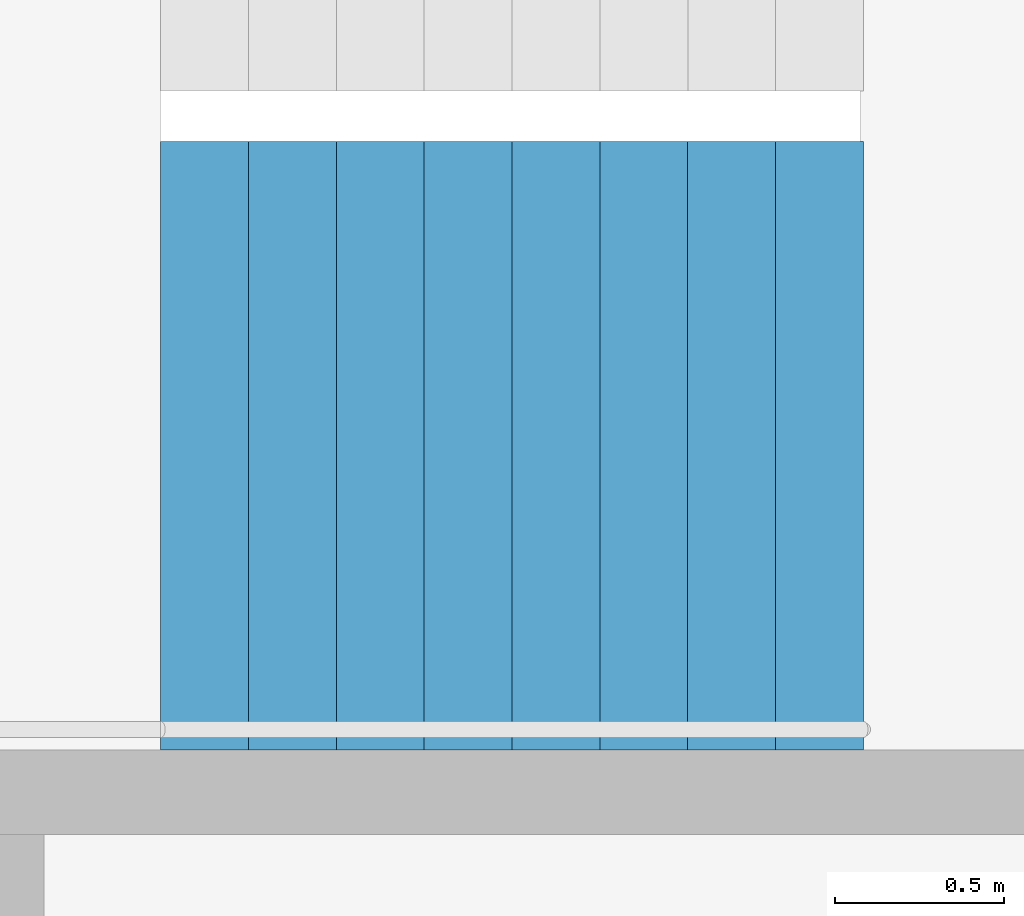
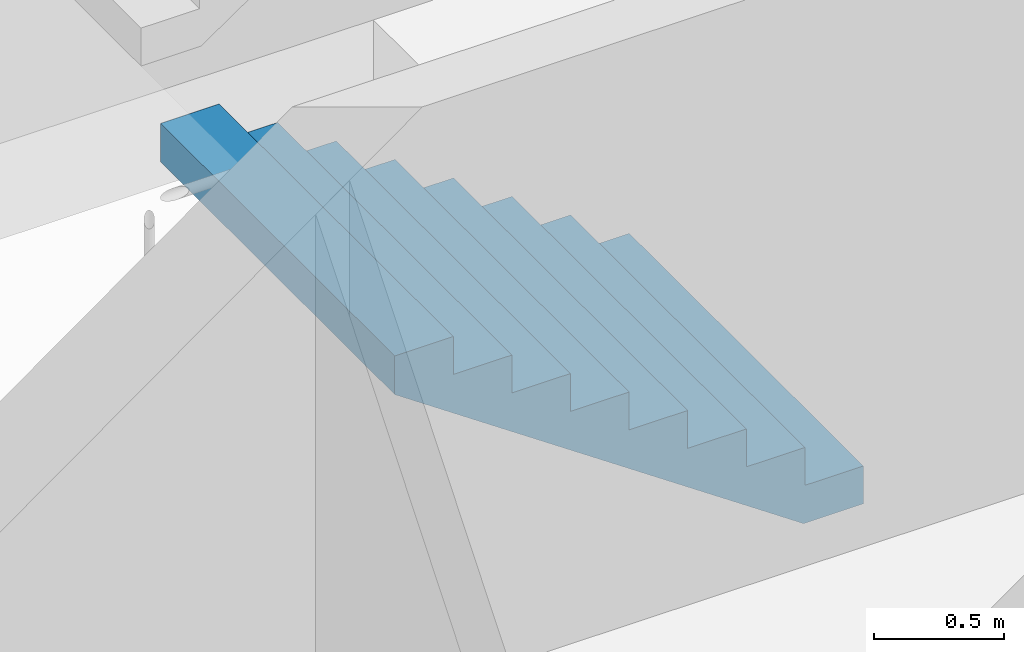
# One storey, part 24 of 26: 1 stair flight, 1 element without a shape of its own.
"""IFC4 building model written with IfcOpenShell, lengths in metres."""

from ifc_helpers import new_model, si_unit, direction, frame, origin, place, context, subcontext, project, spatial, triangles, material, type_object, element, aggregate, save


model = new_model("IFC4")

# Units and contexts
model_context = context("Model", 3, precision=1e-05, world=origin(), true_north=direction((0.0, 1.0)))
body_context = subcontext(model_context, "Body", "Model", "MODEL_VIEW")
ifc_project = project(units=[si_unit("LENGTHUNIT", "METRE"), si_unit("AREAUNIT", "SQUARE_METRE"), si_unit("VOLUMEUNIT", "CUBIC_METRE"), si_unit("PLANEANGLEUNIT", "RADIAN"), si_unit("MASSUNIT", "GRAM", prefix="KILO")], contexts=[model_context])

# Site, building, storey
site_placement = place(None, origin())
site = spatial("IfcSite", under=ifc_project, at=site_placement, CompositionType="ELEMENT")
building_placement = place(site_placement, origin())
building = spatial("IfcBuilding", under=site, at=building_placement, Name="Hakoniwa Tower and Hamabe Station Hall", CompositionType="ELEMENT")
storey_placement = place(building_placement, frame((0.0, 0.0, 143.800048828125)))
storey = spatial("IfcBuildingStorey", under=building, at=storey_placement, Name="L40", CompositionType="ELEMENT", Elevation=143.800048828125)

# Stair, stair flight
ifc_material_1 = material(Name="Concrete C40", Category="concrete")
stair_type = type_object("IfcStairType", Name="ESCAPE STAIR 1800", PredefinedType="HALF_TURN_STAIR", material=ifc_material_1)
stair_placement = place(storey_placement, origin())
stair = element("IfcStair", 1, at=stair_placement, inside=storey, type_object=stair_type, Name="Escape stair ST-3 L40", PredefinedType="HALF_TURN_STAIR")
ifc_material_2 = material(Name="Concrete C40", Category="concrete")
stair_flight_type = type_object("IfcStairFlightType", Name="STAIR FLIGHT 1800", PredefinedType="STRAIGHT", material=ifc_material_2)
stair_flight_placement = place(storey_placement, frame((24.39990234375, 4.64990234375, 0.0), z_axis=(0.0, 0.0, 1.0), x_axis=(-1.0, 0.0, 0.0)))
stair_flight = element("IfcStairFlight", 2, at=stair_flight_placement, type_object=stair_flight_type, Name="ST-3 flight 1", NumberOfRisers=9, NumberOfTreads=8, PredefinedType="STRAIGHT", RiserHeight=0.177777778, TreadLength=0.26, context=body_context, shape_type="Tessellation", body=[
    triangles([(0.0, 0.89990234375, 0.0), (0.260009765625, 0.89990234375, 0.0), (0.265625, 0.89990234375, 0.0), (0.52001953125, 0.89990234375, 0.174072265625), (0.780029296875, 0.89990234375, 0.351806640625), (1.0400390625, 0.89990234375, 0.529541015625), (1.300048828125, 0.89990234375, 0.707275390625), (1.56005859375, 0.89990234375, 0.885009765625), (1.820068359375, 0.89990234375, 1.062744140625), (2.080078125, 0.89990234375, 1.24072265625), (2.080078125, 0.89990234375, 1.422119140625), (1.820068359375, 0.89990234375, 1.422119140625), (1.820068359375, 0.89990234375, 1.244384765625), (1.56005859375, 0.89990234375, 1.244384765625), (1.56005859375, 0.89990234375, 1.066650390625), (1.300048828125, 0.89990234375, 1.066650390625), (1.300048828125, 0.89990234375, 0.888916015625), (1.0400390625, 0.89990234375, 0.888916015625), (1.0400390625, 0.89990234375, 0.711181640625), (0.780029296875, 0.89990234375, 0.711181640625), (0.780029296875, 0.89990234375, 0.533447265625), (0.52001953125, 0.89990234375, 0.533447265625), (0.52001953125, 0.89990234375, 0.35546875), (0.265625, 0.89990234375, 0.35546875), (0.260009765625, 0.89990234375, 0.35546875), (0.260009765625, 0.89990234375, 0.177734375), (0.0, 0.89990234375, 0.177734375), (0.0, 0.06005859375, 0.0), (0.260009765625, 0.06005859375, 0.0), (0.265625, 0.06005859375, 0.0), (0.52001953125, 0.06005859375, 0.174072265625), (0.780029296875, 0.06005859375, 0.351806640625), (1.0400390625, 0.06005859375, 0.529541015625), (1.300048828125, 0.06005859375, 0.707275390625), (1.56005859375, 0.06005859375, 0.885009765625), (1.820068359375, 0.06005859375, 1.062744140625), (2.080078125, 0.06005859375, 1.24072265625), (2.080078125, 0.06005859375, 1.422119140625), (1.820068359375, 0.06005859375, 1.422119140625), (1.820068359375, 0.06005859375, 1.244384765625), (1.56005859375, 0.06005859375, 1.244384765625), (1.56005859375, 0.06005859375, 1.066650390625), (1.300048828125, 0.06005859375, 1.066650390625), (1.300048828125, 0.06005859375, 0.888916015625), (1.0400390625, 0.06005859375, 0.888916015625), (1.0400390625, 0.06005859375, 0.711181640625), (0.780029296875, 0.06005859375, 0.711181640625), (0.780029296875, 0.06005859375, 0.533447265625), (0.52001953125, 0.06005859375, 0.533447265625), (0.52001953125, 0.06005859375, 0.35546875), (0.265625, 0.06005859375, 0.35546875), (0.260009765625, 0.06005859375, 0.35546875), (0.260009765625, 0.06005859375, 0.177734375), (0.0, 0.06005859375, 0.177734375), (0.0, 0.04296875, 0.0), (0.260009765625, 0.04296875, 0.0), (0.265625, 0.04296875, 0.0), (0.52001953125, 0.04296875, 0.174072265625), (0.780029296875, 0.04296875, 0.351806640625), (1.0400390625, 0.04296875, 0.529541015625), (1.300048828125, 0.04296875, 0.707275390625), (1.56005859375, 0.04296875, 0.885009765625), (1.820068359375, 0.04296875, 1.062744140625), (2.080078125, 0.04296875, 1.24072265625), (2.080078125, 0.04296875, 1.422119140625), (1.820068359375, 0.04296875, 1.422119140625), (1.820068359375, 0.04296875, 1.244384765625), (1.56005859375, 0.04296875, 1.244384765625), (1.56005859375, 0.04296875, 1.066650390625), (1.300048828125, 0.04296875, 1.066650390625), (1.300048828125, 0.04296875, 0.888916015625), (1.0400390625, 0.04296875, 0.888916015625), (1.0400390625, 0.04296875, 0.711181640625), (0.780029296875, 0.04296875, 0.711181640625), (0.780029296875, 0.04296875, 0.533447265625), (0.52001953125, 0.04296875, 0.533447265625), (0.52001953125, 0.04296875, 0.35546875), (0.265625, 0.04296875, 0.35546875), (0.260009765625, 0.04296875, 0.35546875), (0.260009765625, 0.04296875, 0.177734375), (0.0, 0.04296875, 0.177734375), (0.0, 0.025634765625, 0.0), (0.260009765625, 0.025634765625, 0.0), (0.265625, 0.025634765625, 0.0), (0.52001953125, 0.025634765625, 0.174072265625), (0.780029296875, 0.025634765625, 0.351806640625), (1.0400390625, 0.025634765625, 0.529541015625), (1.300048828125, 0.025634765625, 0.707275390625), (1.56005859375, 0.025634765625, 0.885009765625), (1.820068359375, 0.025634765625, 1.062744140625), (2.080078125, 0.025634765625, 1.24072265625), (2.080078125, 0.025634765625, 1.422119140625), (1.820068359375, 0.025634765625, 1.422119140625), (1.820068359375, 0.025634765625, 1.244384765625), (1.56005859375, 0.025634765625, 1.244384765625), (1.56005859375, 0.025634765625, 1.066650390625), (1.300048828125, 0.025634765625, 1.066650390625), (1.300048828125, 0.025634765625, 0.888916015625), (1.0400390625, 0.025634765625, 0.888916015625), (1.0400390625, 0.025634765625, 0.711181640625), (0.780029296875, 0.025634765625, 0.711181640625), (0.780029296875, 0.025634765625, 0.533447265625), (0.52001953125, 0.025634765625, 0.533447265625), (0.52001953125, 0.025634765625, 0.35546875), (0.265625, 0.025634765625, 0.35546875), (0.260009765625, 0.025634765625, 0.35546875), (0.260009765625, 0.025634765625, 0.177734375), (0.0, 0.025634765625, 0.177734375), (0.0, 0.008544921875, 0.0), (0.260009765625, 0.008544921875, 0.0), (0.265625, 0.008544921875, 0.0), (0.52001953125, 0.008544921875, 0.174072265625), (0.780029296875, 0.008544921875, 0.351806640625), (1.0400390625, 0.008544921875, 0.529541015625), (1.300048828125, 0.008544921875, 0.707275390625), (1.56005859375, 0.008544921875, 0.885009765625), (1.820068359375, 0.008544921875, 1.062744140625), (2.080078125, 0.008544921875, 1.24072265625), (2.080078125, 0.008544921875, 1.422119140625), (1.820068359375, 0.008544921875, 1.422119140625), (1.820068359375, 0.008544921875, 1.244384765625), (1.56005859375, 0.008544921875, 1.244384765625), (1.56005859375, 0.008544921875, 1.066650390625), (1.300048828125, 0.008544921875, 1.066650390625), (1.300048828125, 0.008544921875, 0.888916015625), (1.0400390625, 0.008544921875, 0.888916015625), (1.0400390625, 0.008544921875, 0.711181640625), (0.780029296875, 0.008544921875, 0.711181640625), (0.780029296875, 0.008544921875, 0.533447265625), (0.52001953125, 0.008544921875, 0.533447265625), (0.52001953125, 0.008544921875, 0.35546875), (0.265625, 0.008544921875, 0.35546875), (0.260009765625, 0.008544921875, 0.35546875), (0.260009765625, 0.008544921875, 0.177734375), (0.0, 0.008544921875, 0.177734375), (0.0, -0.008544921875, 0.0), (0.260009765625, -0.008544921875, 0.0), (0.265625, -0.008544921875, 0.0), (0.52001953125, -0.008544921875, 0.174072265625), (0.780029296875, -0.008544921875, 0.351806640625), (1.0400390625, -0.008544921875, 0.529541015625), (1.300048828125, -0.008544921875, 0.707275390625), (1.56005859375, -0.008544921875, 0.885009765625), (1.820068359375, -0.008544921875, 1.062744140625), (2.080078125, -0.008544921875, 1.24072265625), (2.080078125, -0.008544921875, 1.422119140625), (1.820068359375, -0.008544921875, 1.422119140625), (1.820068359375, -0.008544921875, 1.244384765625), (1.56005859375, -0.008544921875, 1.244384765625), (1.56005859375, -0.008544921875, 1.066650390625), (1.300048828125, -0.008544921875, 1.066650390625), (1.300048828125, -0.008544921875, 0.888916015625), (1.0400390625, -0.008544921875, 0.888916015625), (1.0400390625, -0.008544921875, 0.711181640625), (0.780029296875, -0.008544921875, 0.711181640625), (0.780029296875, -0.008544921875, 0.533447265625), (0.52001953125, -0.008544921875, 0.533447265625), (0.52001953125, -0.008544921875, 0.35546875), (0.265625, -0.008544921875, 0.35546875), (0.260009765625, -0.008544921875, 0.35546875), (0.260009765625, -0.008544921875, 0.177734375), (0.0, -0.008544921875, 0.177734375), (0.0, -0.025634765625, 0.0), (0.260009765625, -0.025634765625, 0.0), (0.265625, -0.025634765625, 0.0), (0.52001953125, -0.025634765625, 0.174072265625), (0.780029296875, -0.025634765625, 0.351806640625), (1.0400390625, -0.025634765625, 0.529541015625), (1.300048828125, -0.025634765625, 0.707275390625), (1.56005859375, -0.025634765625, 0.885009765625), (1.820068359375, -0.025634765625, 1.062744140625), (2.080078125, -0.025634765625, 1.24072265625), (2.080078125, -0.025634765625, 1.422119140625), (1.820068359375, -0.025634765625, 1.422119140625), (1.820068359375, -0.025634765625, 1.244384765625), (1.56005859375, -0.025634765625, 1.244384765625), (1.56005859375, -0.025634765625, 1.066650390625), (1.300048828125, -0.025634765625, 1.066650390625), (1.300048828125, -0.025634765625, 0.888916015625), (1.0400390625, -0.025634765625, 0.888916015625), (1.0400390625, -0.025634765625, 0.711181640625), (0.780029296875, -0.025634765625, 0.711181640625), (0.780029296875, -0.025634765625, 0.533447265625), (0.52001953125, -0.025634765625, 0.533447265625), (0.52001953125, -0.025634765625, 0.35546875), (0.265625, -0.025634765625, 0.35546875), (0.260009765625, -0.025634765625, 0.35546875), (0.260009765625, -0.025634765625, 0.177734375), (0.0, -0.025634765625, 0.177734375), (0.0, -0.04296875, 0.0), (0.260009765625, -0.04296875, 0.0), (0.265625, -0.04296875, 0.0), (0.52001953125, -0.04296875, 0.174072265625), (0.780029296875, -0.04296875, 0.351806640625), (1.0400390625, -0.04296875, 0.529541015625), (1.300048828125, -0.04296875, 0.707275390625), (1.56005859375, -0.04296875, 0.885009765625), (1.820068359375, -0.04296875, 1.062744140625), (2.080078125, -0.04296875, 1.24072265625), (2.080078125, -0.04296875, 1.422119140625), (1.820068359375, -0.04296875, 1.422119140625), (1.820068359375, -0.04296875, 1.244384765625), (1.56005859375, -0.04296875, 1.244384765625), (1.56005859375, -0.04296875, 1.066650390625), (1.300048828125, -0.04296875, 1.066650390625), (1.300048828125, -0.04296875, 0.888916015625), (1.0400390625, -0.04296875, 0.888916015625), (1.0400390625, -0.04296875, 0.711181640625), (0.780029296875, -0.04296875, 0.711181640625), (0.780029296875, -0.04296875, 0.533447265625), (0.52001953125, -0.04296875, 0.533447265625), (0.52001953125, -0.04296875, 0.35546875), (0.265625, -0.04296875, 0.35546875), (0.260009765625, -0.04296875, 0.35546875), (0.260009765625, -0.04296875, 0.177734375), (0.0, -0.04296875, 0.177734375), (0.0, -0.06005859375, 0.0), (0.260009765625, -0.06005859375, 0.0), (0.265625, -0.06005859375, 0.0), (0.52001953125, -0.06005859375, 0.174072265625), (0.780029296875, -0.06005859375, 0.351806640625), (1.0400390625, -0.06005859375, 0.529541015625), (1.300048828125, -0.06005859375, 0.707275390625), (1.56005859375, -0.06005859375, 0.885009765625), (1.820068359375, -0.06005859375, 1.062744140625), (2.080078125, -0.06005859375, 1.24072265625), (2.080078125, -0.06005859375, 1.422119140625), (1.820068359375, -0.06005859375, 1.422119140625), (1.820068359375, -0.06005859375, 1.244384765625), (1.56005859375, -0.06005859375, 1.244384765625), (1.56005859375, -0.06005859375, 1.066650390625), (1.300048828125, -0.06005859375, 1.066650390625), (1.300048828125, -0.06005859375, 0.888916015625), (1.0400390625, -0.06005859375, 0.888916015625), (1.0400390625, -0.06005859375, 0.711181640625), (0.780029296875, -0.06005859375, 0.711181640625), (0.780029296875, -0.06005859375, 0.533447265625), (0.52001953125, -0.06005859375, 0.533447265625), (0.52001953125, -0.06005859375, 0.35546875), (0.265625, -0.06005859375, 0.35546875), (0.260009765625, -0.06005859375, 0.35546875), (0.260009765625, -0.06005859375, 0.177734375), (0.0, -0.06005859375, 0.177734375), (0.0, -0.89990234375, 0.0), (0.260009765625, -0.89990234375, 0.0), (0.265625, -0.89990234375, 0.0), (0.52001953125, -0.89990234375, 0.174072265625), (0.780029296875, -0.89990234375, 0.351806640625), (1.0400390625, -0.89990234375, 0.529541015625), (1.300048828125, -0.89990234375, 0.707275390625), (1.56005859375, -0.89990234375, 0.885009765625), (1.820068359375, -0.89990234375, 1.062744140625), (2.080078125, -0.89990234375, 1.24072265625), (2.080078125, -0.89990234375, 1.422119140625), (1.820068359375, -0.89990234375, 1.422119140625), (1.820068359375, -0.89990234375, 1.244384765625), (1.56005859375, -0.89990234375, 1.244384765625), (1.56005859375, -0.89990234375, 1.066650390625), (1.300048828125, -0.89990234375, 1.066650390625), (1.300048828125, -0.89990234375, 0.888916015625), (1.0400390625, -0.89990234375, 0.888916015625), (1.0400390625, -0.89990234375, 0.711181640625), (0.780029296875, -0.89990234375, 0.711181640625), (0.780029296875, -0.89990234375, 0.533447265625), (0.52001953125, -0.89990234375, 0.533447265625), (0.52001953125, -0.89990234375, 0.35546875), (0.265625, -0.89990234375, 0.35546875), (0.260009765625, -0.89990234375, 0.35546875), (0.260009765625, -0.89990234375, 0.177734375), (0.0, -0.89990234375, 0.177734375)], [[2, 27, 26], [245, 269, 270], [2, 1, 27], [245, 270, 244], [3, 25, 24], [246, 267, 268], [3, 26, 25], [246, 268, 269], [3, 2, 26], [246, 269, 245], [4, 24, 23], [247, 266, 267], [4, 3, 24], [247, 267, 246], [5, 22, 21], [248, 264, 265], [5, 23, 22], [248, 265, 266], [5, 4, 23], [248, 266, 247], [6, 20, 19], [249, 262, 263], [6, 21, 20], [249, 263, 264], [6, 5, 21], [249, 264, 248], [7, 18, 17], [250, 260, 261], [7, 19, 18], [250, 261, 262], [7, 6, 19], [250, 262, 249], [8, 16, 15], [251, 258, 259], [8, 17, 16], [251, 259, 260], [8, 7, 17], [251, 260, 250], [9, 14, 13], [252, 256, 257], [9, 15, 14], [252, 257, 258], [9, 8, 15], [252, 258, 251], [10, 12, 11], [253, 254, 255], [10, 13, 12], [253, 255, 256], [10, 9, 13], [253, 256, 252], [1, 2, 29], [1, 29, 28], [28, 29, 56], [28, 56, 55], [55, 56, 83], [55, 83, 82], [82, 83, 110], [82, 110, 109], [109, 110, 137], [109, 137, 136], [136, 137, 164], [136, 164, 163], [163, 164, 191], [163, 191, 190], [190, 191, 218], [190, 218, 217], [217, 218, 245], [217, 245, 244], [2, 3, 30], [2, 30, 29], [29, 30, 57], [29, 57, 56], [56, 57, 84], [56, 84, 83], [83, 84, 111], [83, 111, 110], [110, 111, 138], [110, 138, 137], [137, 138, 165], [137, 165, 164], [164, 165, 192], [164, 192, 191], [191, 192, 219], [191, 219, 218], [218, 219, 246], [218, 246, 245], [3, 4, 31], [3, 31, 30], [30, 31, 58], [30, 58, 57], [57, 58, 85], [57, 85, 84], [84, 85, 112], [84, 112, 111], [111, 112, 139], [111, 139, 138], [138, 139, 166], [138, 166, 165], [165, 166, 193], [165, 193, 192], [192, 193, 220], [192, 220, 219], [219, 220, 247], [219, 247, 246], [4, 5, 32], [4, 32, 31], [31, 32, 59], [31, 59, 58], [58, 59, 86], [58, 86, 85], [85, 86, 113], [85, 113, 112], [112, 113, 140], [112, 140, 139], [139, 140, 167], [139, 167, 166], [166, 167, 194], [166, 194, 193], [193, 194, 221], [193, 221, 220], [220, 221, 248], [220, 248, 247], [5, 6, 33], [5, 33, 32], [32, 33, 60], [32, 60, 59], [59, 60, 87], [59, 87, 86], [86, 87, 114], [86, 114, 113], [113, 114, 141], [113, 141, 140], [140, 141, 168], [140, 168, 167], [167, 168, 195], [167, 195, 194], [194, 195, 222], [194, 222, 221], [221, 222, 249], [221, 249, 248], [6, 7, 34], [6, 34, 33], [33, 34, 61], [33, 61, 60], [60, 61, 88], [60, 88, 87], [87, 88, 115], [87, 115, 114], [114, 115, 142], [114, 142, 141], [141, 142, 169], [141, 169, 168], [168, 169, 196], [168, 196, 195], [195, 196, 223], [195, 223, 222], [222, 223, 250], [222, 250, 249], [7, 8, 35], [7, 35, 34], [34, 35, 62], [34, 62, 61], [61, 62, 89], [61, 89, 88], [88, 89, 116], [88, 116, 115], [115, 116, 143], [115, 143, 142], [142, 143, 170], [142, 170, 169], [169, 170, 197], [169, 197, 196], [196, 197, 224], [196, 224, 223], [223, 224, 251], [223, 251, 250], [8, 9, 36], [8, 36, 35], [35, 36, 63], [35, 63, 62], [62, 63, 90], [62, 90, 89], [89, 90, 117], [89, 117, 116], [116, 117, 144], [116, 144, 143], [143, 144, 171], [143, 171, 170], [170, 171, 198], [170, 198, 197], [197, 198, 225], [197, 225, 224], [224, 225, 252], [224, 252, 251], [9, 10, 37], [9, 37, 36], [36, 37, 64], [36, 64, 63], [63, 64, 91], [63, 91, 90], [90, 91, 118], [90, 118, 117], [117, 118, 145], [117, 145, 144], [144, 145, 172], [144, 172, 171], [171, 172, 199], [171, 199, 198], [198, 199, 226], [198, 226, 225], [225, 226, 253], [225, 253, 252], [10, 11, 38], [10, 38, 37], [37, 38, 65], [37, 65, 64], [64, 65, 92], [64, 92, 91], [91, 92, 119], [91, 119, 118], [118, 119, 146], [118, 146, 145], [145, 146, 173], [145, 173, 172], [172, 173, 200], [172, 200, 199], [199, 200, 227], [199, 227, 226], [226, 227, 254], [226, 254, 253], [11, 12, 39], [11, 39, 38], [38, 39, 66], [38, 66, 65], [65, 66, 93], [65, 93, 92], [92, 93, 120], [92, 120, 119], [119, 120, 147], [119, 147, 146], [146, 147, 174], [146, 174, 173], [173, 174, 201], [173, 201, 200], [200, 201, 228], [200, 228, 227], [227, 228, 255], [227, 255, 254], [12, 13, 40], [12, 40, 39], [39, 40, 67], [39, 67, 66], [66, 67, 94], [66, 94, 93], [93, 94, 121], [93, 121, 120], [120, 121, 148], [120, 148, 147], [147, 148, 175], [147, 175, 174], [174, 175, 202], [174, 202, 201], [201, 202, 229], [201, 229, 228], [228, 229, 256], [228, 256, 255], [13, 14, 41], [13, 41, 40], [40, 41, 68], [40, 68, 67], [67, 68, 95], [67, 95, 94], [94, 95, 122], [94, 122, 121], [121, 122, 149], [121, 149, 148], [148, 149, 176], [148, 176, 175], [175, 176, 203], [175, 203, 202], [202, 203, 230], [202, 230, 229], [229, 230, 257], [229, 257, 256], [14, 15, 42], [14, 42, 41], [41, 42, 69], [41, 69, 68], [68, 69, 96], [68, 96, 95], [95, 96, 123], [95, 123, 122], [122, 123, 150], [122, 150, 149], [149, 150, 177], [149, 177, 176], [176, 177, 204], [176, 204, 203], [203, 204, 231], [203, 231, 230], [230, 231, 258], [230, 258, 257], [15, 16, 43], [15, 43, 42], [42, 43, 70], [42, 70, 69], [69, 70, 97], [69, 97, 96], [96, 97, 124], [96, 124, 123], [123, 124, 151], [123, 151, 150], [150, 151, 178], [150, 178, 177], [177, 178, 205], [177, 205, 204], [204, 205, 232], [204, 232, 231], [231, 232, 259], [231, 259, 258], [16, 17, 44], [16, 44, 43], [43, 44, 71], [43, 71, 70], [70, 71, 98], [70, 98, 97], [97, 98, 125], [97, 125, 124], [124, 125, 152], [124, 152, 151], [151, 152, 179], [151, 179, 178], [178, 179, 206], [178, 206, 205], [205, 206, 233], [205, 233, 232], [232, 233, 260], [232, 260, 259], [17, 18, 45], [17, 45, 44], [44, 45, 72], [44, 72, 71], [71, 72, 99], [71, 99, 98], [98, 99, 126], [98, 126, 125], [125, 126, 153], [125, 153, 152], [152, 153, 180], [152, 180, 179], [179, 180, 207], [179, 207, 206], [206, 207, 234], [206, 234, 233], [233, 234, 261], [233, 261, 260], [18, 19, 46], [18, 46, 45], [45, 46, 73], [45, 73, 72], [72, 73, 100], [72, 100, 99], [99, 100, 127], [99, 127, 126], [126, 127, 154], [126, 154, 153], [153, 154, 181], [153, 181, 180], [180, 181, 208], [180, 208, 207], [207, 208, 235], [207, 235, 234], [234, 235, 262], [234, 262, 261], [19, 20, 47], [19, 47, 46], [46, 47, 74], [46, 74, 73], [73, 74, 101], [73, 101, 100], [100, 101, 128], [100, 128, 127], [127, 128, 155], [127, 155, 154], [154, 155, 182], [154, 182, 181], [181, 182, 209], [181, 209, 208], [208, 209, 236], [208, 236, 235], [235, 236, 263], [235, 263, 262], [20, 21, 48], [20, 48, 47], [47, 48, 75], [47, 75, 74], [74, 75, 102], [74, 102, 101], [101, 102, 129], [101, 129, 128], [128, 129, 156], [128, 156, 155], [155, 156, 183], [155, 183, 182], [182, 183, 210], [182, 210, 209], [209, 210, 237], [209, 237, 236], [236, 237, 264], [236, 264, 263], [21, 22, 49], [21, 49, 48], [48, 49, 76], [48, 76, 75], [75, 76, 103], [75, 103, 102], [102, 103, 130], [102, 130, 129], [129, 130, 157], [129, 157, 156], [156, 157, 184], [156, 184, 183], [183, 184, 211], [183, 211, 210], [210, 211, 238], [210, 238, 237], [237, 238, 265], [237, 265, 264], [22, 23, 50], [22, 50, 49], [49, 50, 77], [49, 77, 76], [76, 77, 104], [76, 104, 103], [103, 104, 131], [103, 131, 130], [130, 131, 158], [130, 158, 157], [157, 158, 185], [157, 185, 184], [184, 185, 212], [184, 212, 211], [211, 212, 239], [211, 239, 238], [238, 239, 266], [238, 266, 265], [23, 24, 51], [23, 51, 50], [50, 51, 78], [50, 78, 77], [77, 78, 105], [77, 105, 104], [104, 105, 132], [104, 132, 131], [131, 132, 159], [131, 159, 158], [158, 159, 186], [158, 186, 185], [185, 186, 213], [185, 213, 212], [212, 213, 240], [212, 240, 239], [239, 240, 267], [239, 267, 266], [24, 25, 52], [24, 52, 51], [51, 52, 79], [51, 79, 78], [78, 79, 106], [78, 106, 105], [105, 106, 133], [105, 133, 132], [132, 133, 160], [132, 160, 159], [159, 160, 187], [159, 187, 186], [186, 187, 214], [186, 214, 213], [213, 214, 241], [213, 241, 240], [240, 241, 268], [240, 268, 267], [25, 26, 53], [25, 53, 52], [52, 53, 80], [52, 80, 79], [79, 80, 107], [79, 107, 106], [106, 107, 134], [106, 134, 133], [133, 134, 161], [133, 161, 160], [160, 161, 188], [160, 188, 187], [187, 188, 215], [187, 215, 214], [214, 215, 242], [214, 242, 241], [241, 242, 269], [241, 269, 268], [26, 27, 54], [26, 54, 53], [53, 54, 81], [53, 81, 80], [80, 81, 108], [80, 108, 107], [107, 108, 135], [107, 135, 134], [134, 135, 162], [134, 162, 161], [161, 162, 189], [161, 189, 188], [188, 189, 216], [188, 216, 215], [215, 216, 243], [215, 243, 242], [242, 243, 270], [242, 270, 269], [27, 1, 28], [27, 28, 54], [54, 28, 55], [54, 55, 81], [81, 55, 82], [81, 82, 108], [108, 82, 109], [108, 109, 135], [135, 109, 136], [135, 136, 162], [162, 136, 163], [162, 163, 189], [189, 163, 190], [189, 190, 216], [216, 190, 217], [216, 217, 243], [243, 217, 244], [243, 244, 270]], closed=True),
])
aggregate(stair, [stair_flight])

save(model, "model.ifc")
